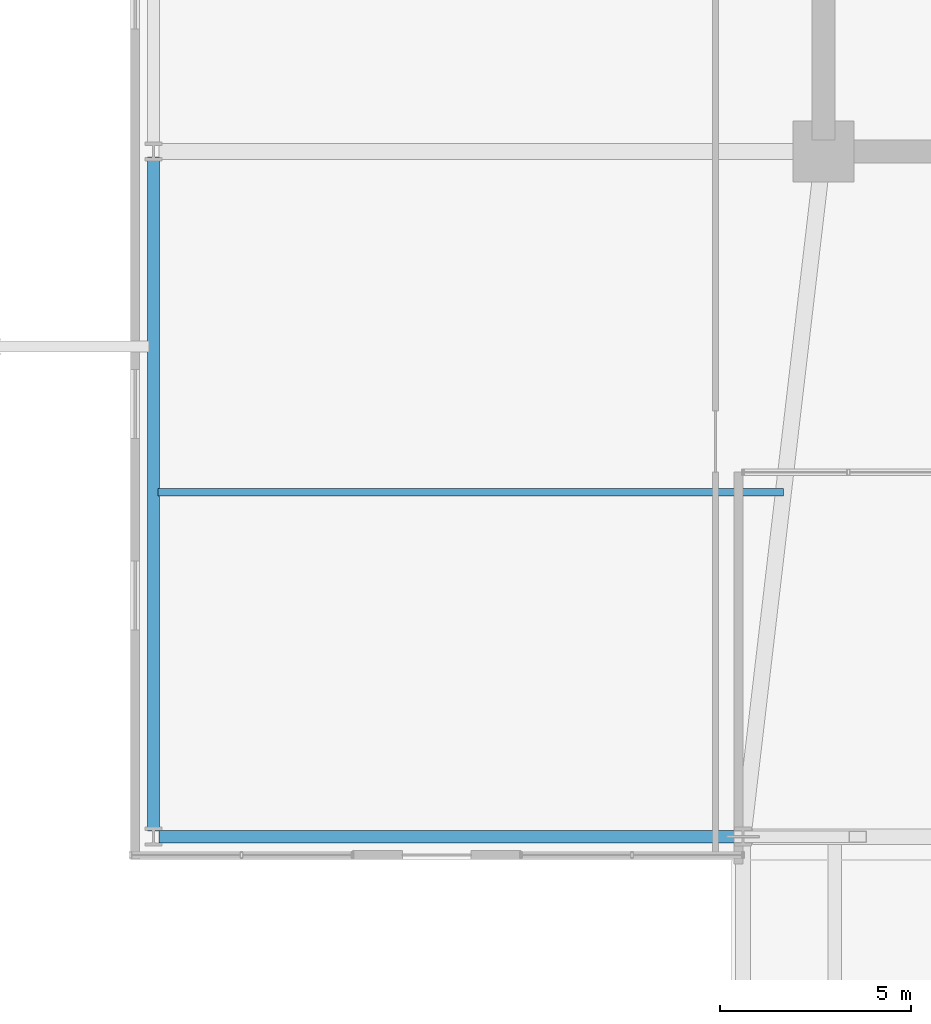
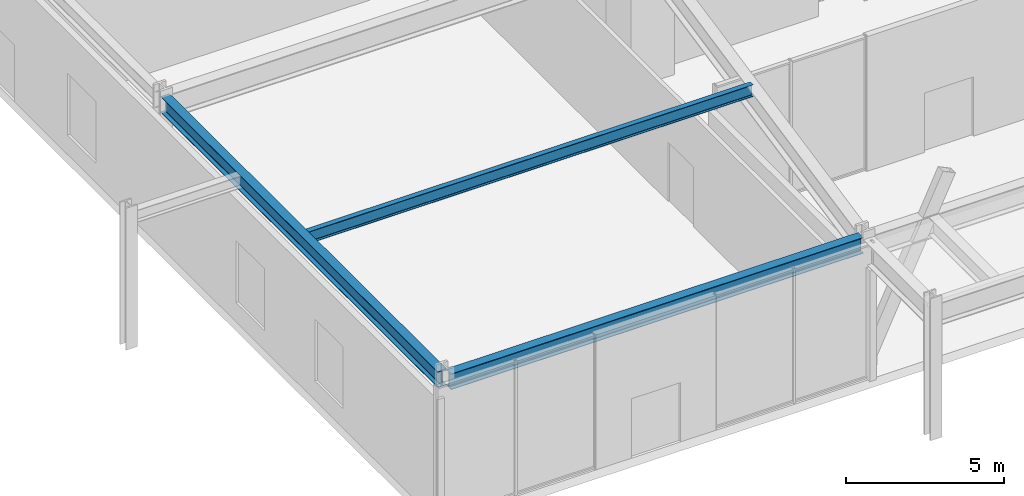
# One storey, part 3 of 24: 3 beams.
"""IFC4 building model written with IfcOpenShell, lengths in metres."""

from ifc_helpers import new_model, si_unit, direction, frame, origin, origin_2d, place, context, subcontext, project, spatial, i_section, extrude, material, material_profile, profile_set, type_object, element, save


model = new_model("IFC4")

# Units and contexts
model_context = context("Model", 3, precision=1e-05, world=origin(), true_north=direction((0.0, 1.0)))
body_context = subcontext(model_context, "Body", "Model", "MODEL_VIEW")
ifc_project = project(units=[si_unit("LENGTHUNIT", "METRE"), si_unit("AREAUNIT", "SQUARE_METRE"), si_unit("VOLUMEUNIT", "CUBIC_METRE"), si_unit("PLANEANGLEUNIT", "RADIAN"), si_unit("MASSUNIT", "GRAM", prefix="KILO")], contexts=[model_context])

# Site, building, storey
site_placement = place(None, origin())
site = spatial("IfcSite", under=ifc_project, at=site_placement, CompositionType="ELEMENT")
building_placement = place(site_placement, origin())
building = spatial("IfcBuilding", under=site, at=building_placement, Name="Kolvaren Belvedere", CompositionType="ELEMENT")
storey_placement = place(building_placement, origin())
storey = spatial("IfcBuildingStorey", under=building, at=storey_placement, Name="L01", CompositionType="ELEMENT", Elevation=0.0)

# Beams
ifc_material_1 = material(Name="Structural steel ASTM A992 Grade 50", Category="steel")
ifc_material_profile_1 = material_profile(ifc_material_1, i_section(OverallWidth=0.19091796875, OverallDepth=0.4599609375, WebThickness=0.010009765625, FlangeThickness=0.01611328125, FilletRadius=0.014892578125, at=origin_2d()), Name="W18X55")
ifc_profile_set_1 = profile_set([ifc_material_profile_1], Name="Structural steel ASTM A992 Grade 50")
beam_type_1 = type_object("IfcBeamType", Name="BM-JOIST-W18X55", PredefinedType="BEAM", material=ifc_profile_set_1)
beam_1_placement = place(storey_placement, frame((-27.280029296875, -18.800048828125, 4.989990234375), z_axis=(1.0, 0.0, 0.0), x_axis=(0.0, 1.0, 0.0)))
element("IfcBeam", 1, at=beam_1_placement, inside=storey, type_object=beam_type_1, Name="L01 West Bay Floor Beam", PredefinedType="BEAM", context=body_context, shape_type="SweptSolid", body=[
    extrude(i_section(OverallWidth=0.19091796875, OverallDepth=0.4599609375, WebThickness=0.010009765625, FlangeThickness=0.01611328125, FilletRadius=0.014892578125, at=origin_2d()), origin(), (0.0, 0.0, 1.0), 16.340087890625),
])
ifc_material_2 = material(Name="Structural steel ASTM A992 Grade 50", Category="steel")
ifc_material_profile_2 = material_profile(ifc_material_2, i_section(OverallWidth=0.324951171875, OverallDepth=0.615966796875, WebThickness=0.013916015625, FlangeThickness=0.021484375, FilletRadius=0.02001953125, at=origin_2d()), Name="W24X117")
ifc_profile_set_2 = profile_set([ifc_material_profile_2], Name="Structural steel ASTM A992 Grade 50")
beam_type_2 = type_object("IfcBeamType", Name="BM-SPAN-W24X117", PredefinedType="SPANDREL", material=ifc_profile_set_2)
beam_2_placement = place(storey_placement, frame((-27.25, -27.800048828125, 4.912109375), z_axis=(1.0, 0.0, 0.0), x_axis=(0.0, 1.0, 0.0)))
element("IfcBeam", 2, at=beam_2_placement, inside=storey, type_object=beam_type_2, Name="L01 South Podium Spandrel 1", PredefinedType="SPANDREL", context=body_context, shape_type="SweptSolid", body=[
    extrude(i_section(OverallWidth=0.324951171875, OverallDepth=0.615966796875, WebThickness=0.013916015625, FlangeThickness=0.021484375, FilletRadius=0.02001953125, at=origin_2d()), origin(), (0.0, 0.0, 1.0), 15.10009765625),
])
beam_3_placement = place(storey_placement, frame((-27.39990234375, -27.64990234375, 4.912109375), z_axis=(0.0, 1.0, 0.0), x_axis=(-1.0, 0.0, 0.0)))
element("IfcBeam", 3, at=beam_3_placement, inside=storey, type_object=beam_type_2, Name="L01 W Podium Spandrel 1", PredefinedType="SPANDREL", context=body_context, shape_type="SweptSolid", body=[
    extrude(i_section(OverallWidth=0.324951171875, OverallDepth=0.615966796875, WebThickness=0.013916015625, FlangeThickness=0.021484375, FilletRadius=0.02001953125, at=origin_2d()), origin(), (0.0, 0.0, 1.0), 17.599853515625),
])

save(model, "model.ifc")
